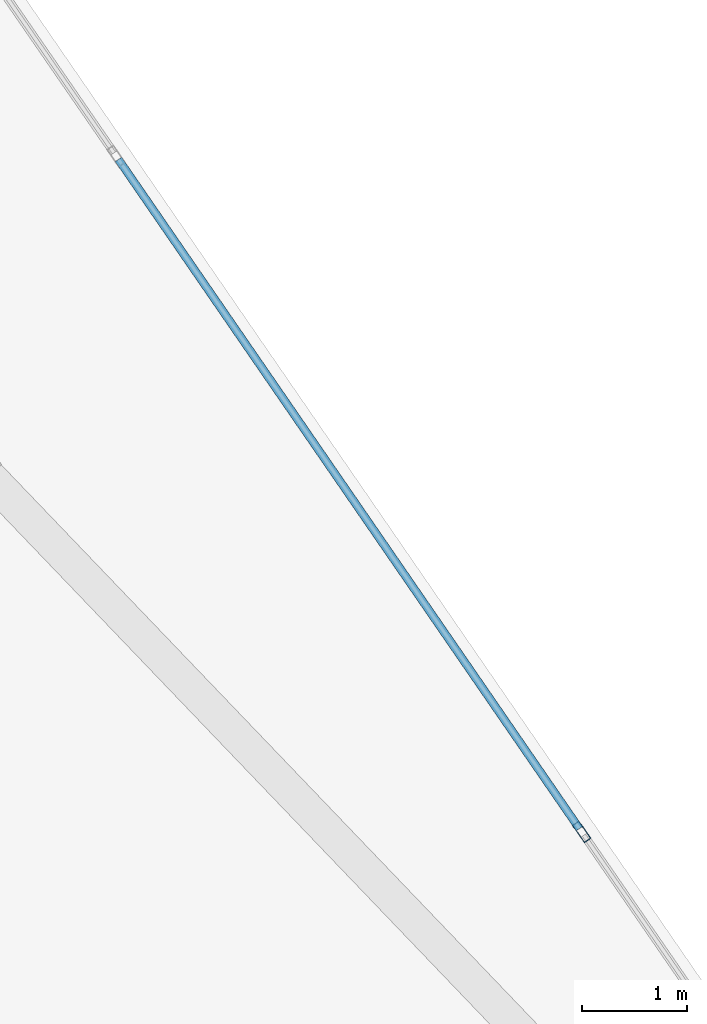
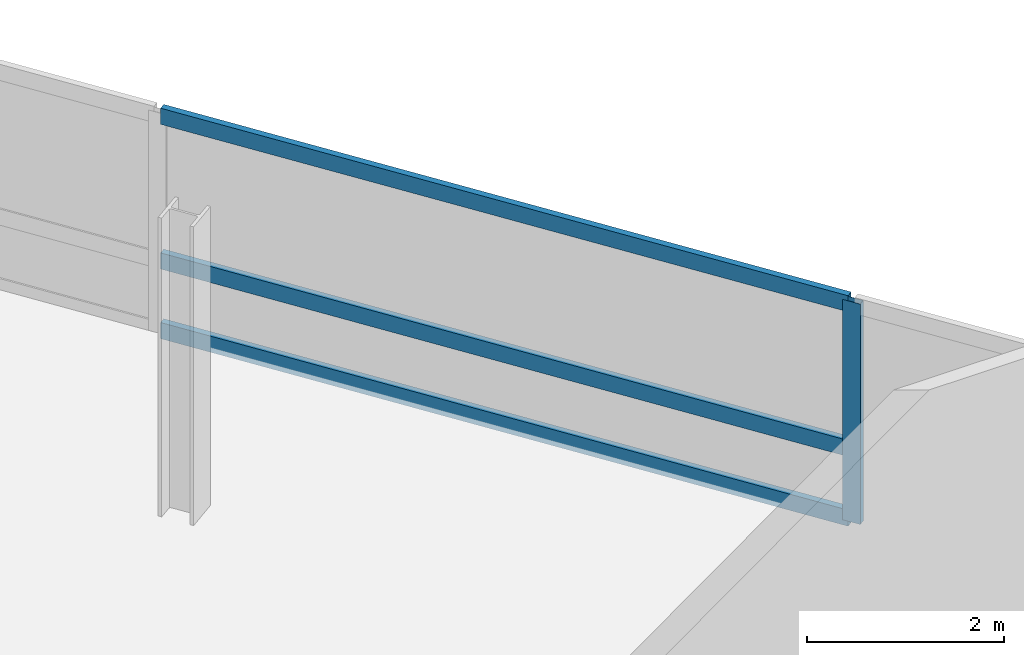
# One storey, part 9 of 23: 4 members, 1 element without a shape of its own.
"""IFC4 building model written with IfcOpenShell, lengths in metres."""

from ifc_helpers import new_model, si_unit, direction, frame, origin, origin_2d, place, context, subcontext, project, spatial, hollow_rectangle, extrude, material, layer, layer_set, material_profile, profile_set, type_object, element, aggregate, save


model = new_model("IFC4")

# Units and contexts
model_context = context("Model", 3, precision=1e-05, world=origin(), true_north=direction((0.0, 1.0)))
body_context = subcontext(model_context, "Body", "Model", "MODEL_VIEW")
ifc_project = project(units=[si_unit("LENGTHUNIT", "METRE"), si_unit("AREAUNIT", "SQUARE_METRE"), si_unit("VOLUMEUNIT", "CUBIC_METRE"), si_unit("PLANEANGLEUNIT", "RADIAN"), si_unit("MASSUNIT", "GRAM", prefix="KILO")], contexts=[model_context])

# Site, building, storey
site_placement = place(None, origin())
site = spatial("IfcSite", under=ifc_project, at=site_placement, CompositionType="ELEMENT")
building_placement = place(site_placement, origin())
building = spatial("IfcBuilding", under=site, at=building_placement, Name="Varnelok Gate Tower", CompositionType="ELEMENT")
storey_placement = place(building_placement, frame((0.0, 0.0, 258.199951171875)))
storey = spatial("IfcBuildingStorey", under=building, at=storey_placement, Name="L66", CompositionType="ELEMENT", Elevation=258.199951171875)

# Curtain wall, members
ifc_material = material(Name="Anodized Aluminum Alloy 6063-T6", Category="aluminium")
ifc_layer = layer(ifc_material, 0.179931640625)
ifc_layer_set = layer_set([ifc_layer], Name="Anodized Aluminum Alloy 6063-T6")
curtain_wall_type = type_object("IfcCurtainWallType", Name="CW4-RESIDENCE-VISION", PredefinedType="USERDEFINED", material=ifc_layer_set)
curtain_wall_placement = place(storey_placement, origin())
curtain_wall = element("IfcCurtainWall", 1, at=curtain_wall_placement, inside=storey, type_object=curtain_wall_type, Name="L66 East End Vision Curtain Wall", ObjectType="UNITISED CURTAIN WALL", PredefinedType="USERDEFINED")
ifc_material_profile_1 = material_profile(ifc_material, hollow_rectangle(XDim=0.074951171875, YDim=0.199951171875, WallThickness=0.00390625, at=origin_2d()), Name="ALU200X75X4")
ifc_profile_set_1 = profile_set([ifc_material_profile_1], Name="Anodized Aluminum Alloy 6063-T6")
member_type_1 = type_object("IfcMemberType", Name="CW-MULL-200", PredefinedType="MULLION", material=ifc_profile_set_1)
member_1_placement = place(storey_placement, frame((66.343505859375, 43.997314453125, 0.0), z_axis=(0.0, 0.0, 1.0), x_axis=(0.823532290241, 0.567269395376, 0.0)))
member_1 = element("IfcMember", 2, at=member_1_placement, type_object=member_type_1, Name="CW4 mullion 3", PredefinedType="MULLION", context=body_context, shape_type="SweptSolid", body=[
    extrude(hollow_rectangle(XDim=0.074951171875, YDim=0.199951171875, WallThickness=0.00390625, at=origin_2d()), origin(), (0.0, 0.0, 1.0), 2.72998046875),
])
ifc_material_profile_2 = material_profile(ifc_material, hollow_rectangle(XDim=0.074951171875, YDim=0.199951171875, WallThickness=0.00390625, at=origin_2d()), Name="ALU200X75X4")
ifc_profile_set_2 = profile_set([ifc_material_profile_2], Name="Anodized Aluminum Alloy 6063-T6")
member_type_2 = type_object("IfcMemberType", Name="CW-TRAN-200", PredefinedType="USERDEFINED", material=ifc_profile_set_2)
member_2_placement = place(storey_placement, frame((61.940185546875, 50.389892578125, 0.03759765625), z_axis=(0.567260941086, -0.823538113701, 0.0), x_axis=(0.823538113701, 0.567260941086, 0.0)))
member_2 = element("IfcMember", 3, at=member_2_placement, type_object=member_type_2, Name="CW4 transom 2.1", ObjectType="TRANSOM", PredefinedType="USERDEFINED", context=body_context, shape_type="SweptSolid", body=[
    extrude(hollow_rectangle(XDim=0.074951171875, YDim=0.199951171875, WallThickness=0.00390625, at=origin_2d()), origin(), (0.0, 0.0, 1.0), 7.72509765625),
])
member_3_placement = place(storey_placement, frame((61.940185546875, 50.389892578125, 0.900146484375), z_axis=(0.567260941086, -0.823538113701, 0.0), x_axis=(0.823538113701, 0.567260941086, 0.0)))
member_3 = element("IfcMember", 4, at=member_3_placement, type_object=member_type_2, Name="CW4 transom 2.2", ObjectType="TRANSOM", PredefinedType="USERDEFINED", context=body_context, shape_type="SweptSolid", body=[
    extrude(hollow_rectangle(XDim=0.074951171875, YDim=0.199951171875, WallThickness=0.00390625, at=origin_2d()), origin(), (0.0, 0.0, 1.0), 7.72509765625),
])
member_4_placement = place(storey_placement, frame((61.940185546875, 50.389892578125, 2.692626953125), z_axis=(0.567260941086, -0.823538113701, 0.0), x_axis=(0.823538113701, 0.567260941086, 0.0)))
member_4 = element("IfcMember", 5, at=member_4_placement, type_object=member_type_2, Name="CW4 transom 2.3", ObjectType="TRANSOM", PredefinedType="USERDEFINED", context=body_context, shape_type="SweptSolid", body=[
    extrude(hollow_rectangle(XDim=0.074951171875, YDim=0.199951171875, WallThickness=0.00390625, at=origin_2d()), origin(), (0.0, 0.0, 1.0), 7.72509765625),
])
aggregate(curtain_wall, [member_1, member_2, member_3, member_4])

save(model, "model.ifc")
